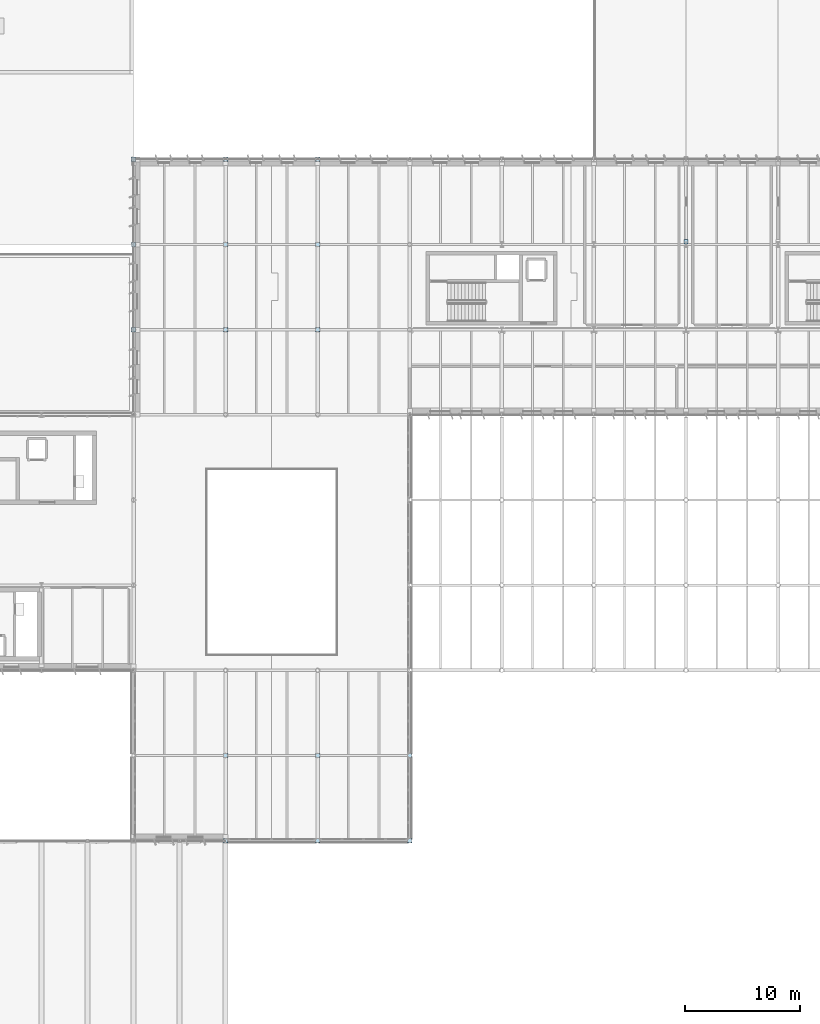
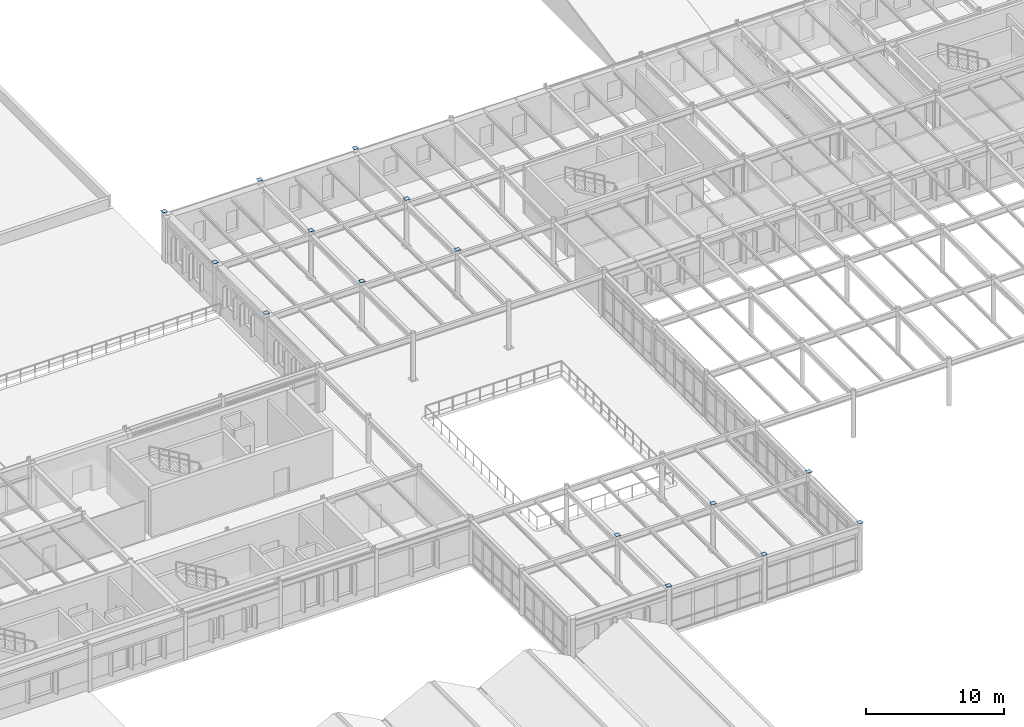
# One storey, part 36 of 63: 16 plates.
"""IFC4 building model written with IfcOpenShell, lengths in metres."""

from ifc_helpers import new_model, si_unit, direction, frame, origin, origin_2d, place, context, subcontext, project, spatial, rectangle, extrude, material, layer, layer_set, type_object, element, save


model = new_model("IFC4")

# Units and contexts
model_context = context("Model", 3, precision=1e-05, world=origin(), true_north=direction((0.0, 1.0)))
body_context = subcontext(model_context, "Body", "Model", "MODEL_VIEW")
ifc_project = project(units=[si_unit("LENGTHUNIT", "METRE"), si_unit("AREAUNIT", "SQUARE_METRE"), si_unit("VOLUMEUNIT", "CUBIC_METRE"), si_unit("PLANEANGLEUNIT", "RADIAN"), si_unit("MASSUNIT", "GRAM", prefix="KILO")], contexts=[model_context])

# Site, building, storey
site_placement = place(None, origin())
site = spatial("IfcSite", under=ifc_project, at=site_placement, CompositionType="ELEMENT")
building_placement = place(site_placement, origin())
building = spatial("IfcBuilding", under=site, at=building_placement, Name="Valkorina Park Police Headquarters", CompositionType="ELEMENT")
storey_placement = place(building_placement, frame((0.0, 0.0, 9.89990234375)))
storey = spatial("IfcBuildingStorey", under=building, at=storey_placement, Name="L03", CompositionType="ELEMENT", Elevation=9.89990234375)

# Plates
ifc_material = material(Name="Steel S355", Category="steel")
ifc_layer = layer(ifc_material, 0.02001953125)
ifc_layer_set = layer_set([ifc_layer], Name="Steel S355")
plate_type = type_object("IfcPlateType", Name="PL-ENDCAP-20", PredefinedType="USERDEFINED", material=ifc_layer_set)
for number, where, z_axis, x_axis, name in (
    (1, (56.800048828125, 66.60009765625, 4.2001953125), (0.0, 0.0, 1.0), (1.0, 0.0, 0.0), "Hollow Column Top End Cap Plate 8"),
    (2, (56.800048828125, 74.0, 4.2001953125), (0.0, 0.0, 1.0), (1.0, 0.0, 0.0), "Hollow Column Top End Cap Plate 9"),
    (3, (56.800048828125, 81.39990234375, 4.2001953125), (0.0, 0.0, 1.0), (1.0, 0.0, 0.0), "Hollow Column Top End Cap Plate 10"),
    (4, (64.800048828125, 22.199951171875, 4.2001953125), (0.0, 0.0, 1.0), (1.0, 0.0, 0.0), "Hollow Column Top End Cap Plate 11"),
    (5, (64.800048828125, 29.60009765625, 4.2001953125), (0.0, 0.0, 1.0), (1.0, 0.0, 0.0), "Hollow Column Top End Cap Plate 12"),
    (6, (64.800048828125, 66.60009765625, 4.2001953125), (0.0, 0.0, 1.0), (1.0, 0.0, 0.0), "Hollow Column Top End Cap Plate 13"),
    (7, (64.800048828125, 74.0, 4.2001953125), (0.0, 0.0, 1.0), (1.0, 0.0, 0.0), "Hollow Column Top End Cap Plate 14"),
    (8, (64.800048828125, 81.39990234375, 4.2001953125), (0.0, 0.0, 1.0), (1.0, 0.0, 0.0), "Hollow Column Top End Cap Plate 15"),
    (9, (72.800048828125, 22.199951171875, 4.2001953125), (0.0, 0.0, 1.0), (1.0, 0.0, 0.0), "Hollow Column Top End Cap Plate 16"),
    (10, (72.800048828125, 29.60009765625, 4.2001953125), (0.0, 0.0, 1.0), (1.0, 0.0, 0.0), "Hollow Column Top End Cap Plate 17"),
    (11, (72.800048828125, 66.60009765625, 4.2001953125), (0.0, 0.0, 1.0), (1.0, 0.0, 0.0), "Hollow Column Top End Cap Plate 18"),
    (12, (72.800048828125, 74.0, 4.2001953125), (0.0, 0.0, 1.0), (1.0, 0.0, 0.0), "Hollow Column Top End Cap Plate 19"),
    (13, (72.800048828125, 81.39990234375, 4.2001953125), (0.0, 0.0, 1.0), (1.0, 0.0, 0.0), "Hollow Column Top End Cap Plate 20"),
    (14, (80.800048828125, 22.199951171875, 4.2001953125), (0.0, 0.0, 1.0), (1.0, 0.0, 0.0), "Hollow Column Top End Cap Plate 21"),
    (15, (80.800048828125, 29.60009765625, 4.2001953125), (0.0, 0.0, 1.0), (1.0, 0.0, 0.0), "Hollow Column Top End Cap Plate 22"),
    (16, (104.800048828125, 74.22509765625, 0.090087890625), (0.0, 0.0, 1.0), (1.0, 0.0, 0.0), "Brace Base End Cap Plate 229"),
):
    element("IfcPlate", number, at=place(storey_placement, frame(where, z_axis=z_axis, x_axis=x_axis)), inside=storey, type_object=plate_type, Name=name, ObjectType="END CAP PLATE", PredefinedType="USERDEFINED", context=body_context, shape_type="SweptSolid", body=[
        extrude(rectangle(XDim=0.3798828125, YDim=0.3798828125, at=origin_2d()), origin(), (0.0, 0.0, 1.0), 0.02001953125),
    ])

save(model, "model.ifc")
